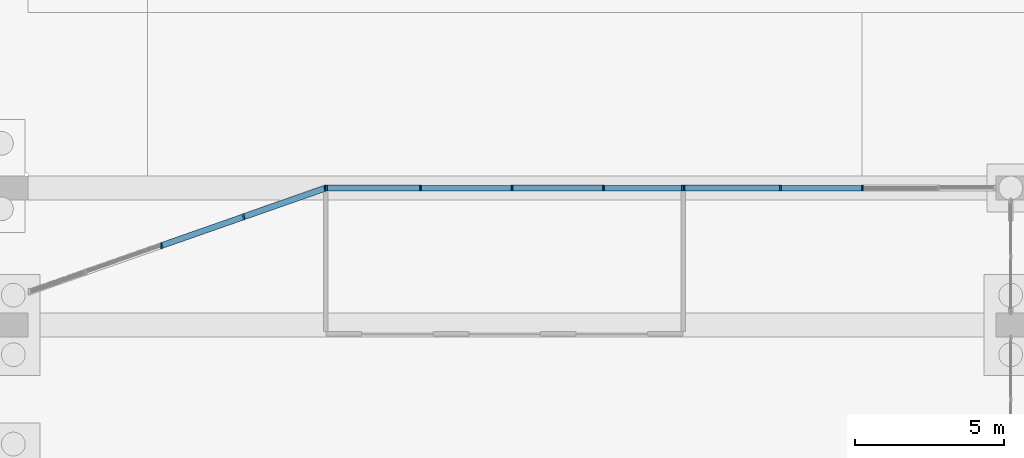
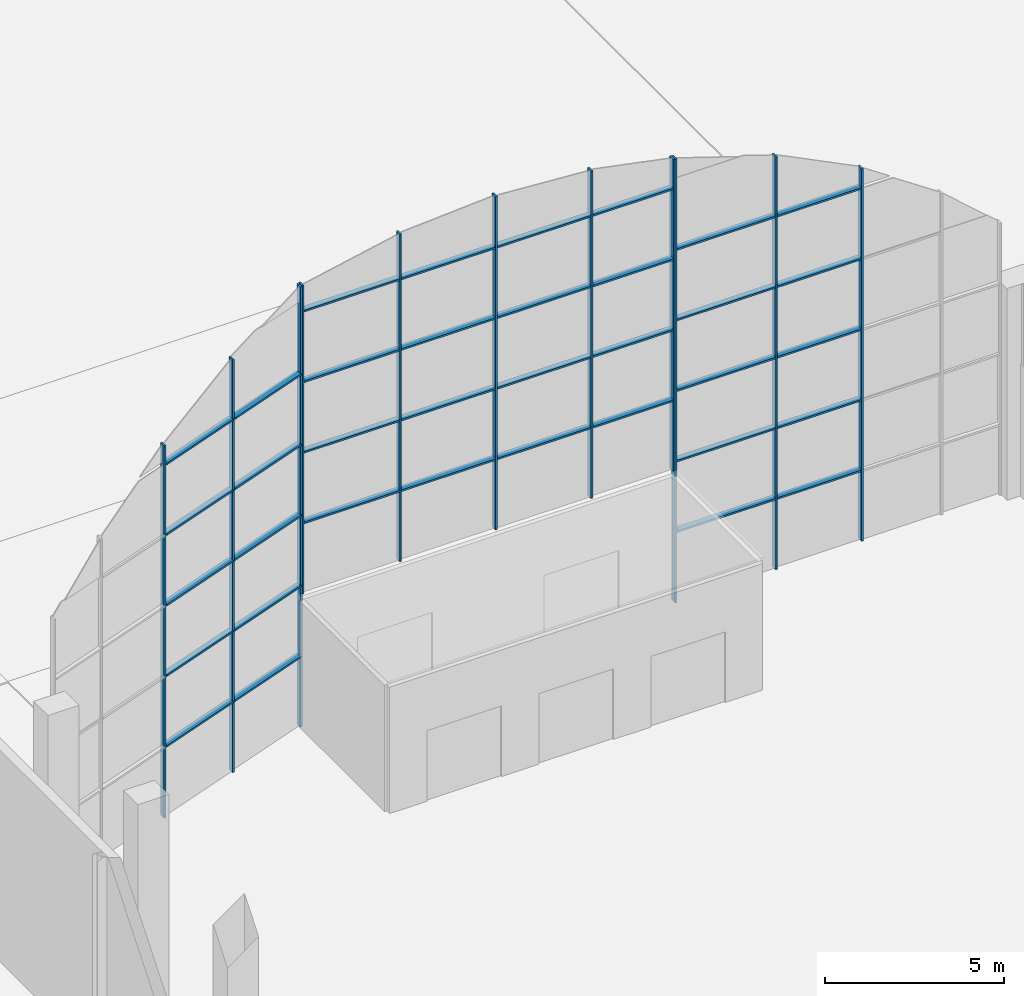
# One storey, part 134 of 239: 47 members, 3 elements without a shape of their own.
"""IFC4 building model written with IfcOpenShell, lengths in metres."""

from ifc_helpers import new_model, si_unit, direction, frame, origin, origin_2d, place, context, subcontext, project, spatial, rectangle, extrude, material, material_profile, profile_set, type_object, element, aggregate, save


model = new_model("IFC4")

# Units and contexts
model_context = context("Model", 3, precision=1e-05, world=origin(), true_north=direction((0.0, 1.0)))
body_context = subcontext(model_context, "Body", "Model", "MODEL_VIEW")
ifc_project = project(units=[si_unit("LENGTHUNIT", "METRE"), si_unit("AREAUNIT", "SQUARE_METRE"), si_unit("VOLUMEUNIT", "CUBIC_METRE"), si_unit("PLANEANGLEUNIT", "RADIAN"), si_unit("MASSUNIT", "GRAM", prefix="KILO")], contexts=[model_context])

# Site, building, storey
site_placement = place(None, origin())
site = spatial("IfcSite", under=ifc_project, at=site_placement, CompositionType="ELEMENT")
building_placement = place(site_placement, origin())
building = spatial("IfcBuilding", under=site, at=building_placement, Name="Okhra Congress Centre", CompositionType="ELEMENT")
storey_placement = place(building_placement, origin())
storey = spatial("IfcBuildingStorey", under=building, at=storey_placement, Name="L00", CompositionType="ELEMENT", Elevation=0.0)

# Curtain wall, members
ifc_material_1 = material(Name="Aluminium frame with triple glazing", Category="aluminium")
curtain_wall_type = type_object("IfcCurtainWallType", Name="Glazed gable curtain wall", PredefinedType="NOTDEFINED", material=ifc_material_1)
curtain_wall_1_placement = place(storey_placement, origin())
curtain_wall_1 = element("IfcCurtainWall", 1, at=curtain_wall_1_placement, inside=storey, type_object=curtain_wall_type, Name="North gable glazing west", PredefinedType="NOTDEFINED")
ifc_material_2 = material(Name="Aluminium alloy 6063", Category="aluminium")
ifc_material_profile_1 = material_profile(ifc_material_2, rectangle(XDim=0.06005859375, YDim=0.199951171875, at=origin_2d()), Name="AL 60x200 gable")
ifc_profile_set_1 = profile_set([ifc_material_profile_1], Name="Aluminium alloy 6063")
member_type_1 = type_object("IfcMemberType", Name="Aluminium gable mullion 60x200", PredefinedType="MULLION", material=ifc_profile_set_1)
member_1_placement = place(storey_placement, frame((160.475830078125, 213.66650390625, 0.0), z_axis=(0.0, 0.0, 1.0), x_axis=(1.0, 0.0, 0.0)))
member_1 = element("IfcMember", 2, at=member_1_placement, type_object=member_type_1, Name="North gable glazing west mullion 3", PredefinedType="MULLION", context=body_context, shape_type="SweptSolid", body=[
    extrude(rectangle(XDim=0.06005859375, YDim=0.199951171875, at=origin_2d()), origin(), (0.0, 0.0, 1.0), 12.65673828125),
])
member_2_placement = place(storey_placement, frame((163.235595703125, 214.63232421875, 0.0), z_axis=(0.0, 0.0, 1.0), x_axis=(1.0, 0.0, 0.0)))
member_2 = element("IfcMember", 3, at=member_2_placement, type_object=member_type_1, Name="North gable glazing west mullion 4", PredefinedType="MULLION", context=body_context, shape_type="SweptSolid", body=[
    extrude(rectangle(XDim=0.06005859375, YDim=0.199951171875, at=origin_2d()), origin(), (0.0, 0.0, 1.0), 14.0302734375),
])
member_3_placement = place(storey_placement, frame((165.969970703125, 215.589599609375, 0.0), z_axis=(0.0, 0.0, 1.0), x_axis=(1.0, 0.0, 0.0)))
member_3 = element("IfcMember", 4, at=member_3_placement, type_object=member_type_1, Name="North gable glazing west mullion 5", PredefinedType="MULLION", context=body_context, shape_type="SweptSolid", body=[
    extrude(rectangle(XDim=0.06005859375, YDim=0.199951171875, at=origin_2d()), origin(), (0.0, 0.0, 1.0), 14.966552734375),
])

curtain_wall_2_placement = place(storey_placement, origin())
curtain_wall_2 = element("IfcCurtainWall", 5, at=curtain_wall_2_placement, inside=storey, type_object=curtain_wall_type, Name="North gable glazing east", PredefinedType="NOTDEFINED")
member_4_placement = place(storey_placement, frame((178.030029296875, 215.60009765625, 0.0), z_axis=(0.0, 0.0, 1.0), x_axis=(1.0, 0.0, 0.0)))
member_4 = element("IfcMember", 6, at=member_4_placement, type_object=member_type_1, Name="North gable glazing east mullion 1", PredefinedType="MULLION", context=body_context, shape_type="SweptSolid", body=[
    extrude(rectangle(XDim=0.06005859375, YDim=0.199951171875, at=origin_2d()), origin(), (0.0, 0.0, 1.0), 15.092529296875),
])
member_5_placement = place(storey_placement, frame((181.264404296875, 215.60009765625, 0.0), z_axis=(0.0, 0.0, 1.0), x_axis=(1.0, 0.0, 0.0)))
member_5 = element("IfcMember", 7, at=member_5_placement, type_object=member_type_1, Name="North gable glazing east mullion 2", PredefinedType="MULLION", context=body_context, shape_type="SweptSolid", body=[
    extrude(rectangle(XDim=0.06005859375, YDim=0.199951171875, at=origin_2d()), origin(), (0.0, 0.0, 1.0), 14.0302734375),
])
member_6_placement = place(storey_placement, frame((184.024169921875, 215.60009765625, 0.0), z_axis=(0.0, 0.0, 1.0), x_axis=(1.0, 0.0, 0.0)))
member_6 = element("IfcMember", 8, at=member_6_placement, type_object=member_type_1, Name="North gable glazing east mullion 3", PredefinedType="MULLION", context=body_context, shape_type="SweptSolid", body=[
    extrude(rectangle(XDim=0.06005859375, YDim=0.199951171875, at=origin_2d()), origin(), (0.0, 0.0, 1.0), 12.65673828125),
])

curtain_wall_3_placement = place(storey_placement, origin())
curtain_wall_3 = element("IfcCurtainWall", 9, at=curtain_wall_3_placement, inside=storey, type_object=curtain_wall_type, Name="North gable glazing above the entrance", PredefinedType="NOTDEFINED")
member_7_placement = place(storey_placement, frame((166.030029296875, 215.60009765625, 4.5), z_axis=(0.0, 0.0, 1.0), x_axis=(1.0, 0.0, 0.0)))
member_7 = element("IfcMember", 10, at=member_7_placement, type_object=member_type_1, Name="North gable glazing above the entrance mullion 1", PredefinedType="MULLION", context=body_context, shape_type="SweptSolid", body=[
    extrude(rectangle(XDim=0.06005859375, YDim=0.199951171875, at=origin_2d()), origin(), (0.0, 0.0, 1.0), 10.487060546875),
])
member_8_placement = place(storey_placement, frame((169.174072265625, 215.60009765625, 4.5), z_axis=(0.0, 0.0, 1.0), x_axis=(1.0, 0.0, 0.0)))
member_8 = element("IfcMember", 11, at=member_8_placement, type_object=member_type_1, Name="North gable glazing above the entrance mullion 2", PredefinedType="MULLION", context=body_context, shape_type="SweptSolid", body=[
    extrude(rectangle(XDim=0.06005859375, YDim=0.199951171875, at=origin_2d()), origin(), (0.0, 0.0, 1.0), 11.134765625),
])
member_9_placement = place(storey_placement, frame((172.25, 215.60009765625, 4.5), z_axis=(0.0, 0.0, 1.0), x_axis=(1.0, 0.0, 0.0)))
member_9 = element("IfcMember", 12, at=member_9_placement, type_object=member_type_1, Name="North gable glazing above the entrance mullion 3", PredefinedType="MULLION", context=body_context, shape_type="SweptSolid", body=[
    extrude(rectangle(XDim=0.06005859375, YDim=0.199951171875, at=origin_2d()), origin(), (0.0, 0.0, 1.0), 11.338134765625),
])
member_10_placement = place(storey_placement, frame((175.325927734375, 215.60009765625, 4.5), z_axis=(0.0, 0.0, 1.0), x_axis=(1.0, 0.0, 0.0)))
member_10 = element("IfcMember", 13, at=member_10_placement, type_object=member_type_1, Name="North gable glazing above the entrance mullion 4", PredefinedType="MULLION", context=body_context, shape_type="SweptSolid", body=[
    extrude(rectangle(XDim=0.06005859375, YDim=0.199951171875, at=origin_2d()), origin(), (0.0, 0.0, 1.0), 11.134765625),
])
member_11_placement = place(storey_placement, frame((177.969970703125, 215.60009765625, 4.5), z_axis=(0.0, 0.0, 1.0), x_axis=(1.0, 0.0, 0.0)))
member_11 = element("IfcMember", 14, at=member_11_placement, type_object=member_type_1, Name="North gable glazing above the entrance mullion 5", PredefinedType="MULLION", context=body_context, shape_type="SweptSolid", body=[
    extrude(rectangle(XDim=0.06005859375, YDim=0.199951171875, at=origin_2d()), origin(), (0.0, 0.0, 1.0), 10.6044921875),
])

# Member
ifc_material_profile_2 = material_profile(ifc_material_2, rectangle(XDim=0.199951171875, YDim=0.06005859375, at=origin_2d()), Name="AL 200x60 gable transom")
ifc_profile_set_2 = profile_set([ifc_material_profile_2], Name="Aluminium alloy 6063")
member_type_2 = type_object("IfcMemberType", Name="Aluminium gable transom 200x60", PredefinedType="USERDEFINED", material=ifc_profile_set_2)
member_12_placement = place(storey_placement, frame((160.505859375, 213.677001953125, 2.39990234375), z_axis=(0.943866340391, 0.330327612345, 0.0), x_axis=(-0.330327612345, 0.943866340391, 0.0)))
member_12 = element("IfcMember", 15, at=member_12_placement, type_object=member_type_2, Name="North gable glazing west transom 3.1", ObjectType="TRANSOM", PredefinedType="USERDEFINED", context=body_context, shape_type="SweptSolid", body=[
    extrude(rectangle(XDim=0.199951171875, YDim=0.06005859375, at=origin_2d()), origin(), (0.0, 0.0, 1.0), 2.8603515625),
])

member_13_placement = place(storey_placement, frame((160.505859375, 213.677001953125, 4.800048828125), z_axis=(0.943866340391, 0.330327612345, 0.0), x_axis=(-0.330327612345, 0.943866340391, 0.0)))
member_13 = element("IfcMember", 16, at=member_13_placement, type_object=member_type_2, Name="North gable glazing west transom 3.2", ObjectType="TRANSOM", PredefinedType="USERDEFINED", context=body_context, shape_type="SweptSolid", body=[
    extrude(rectangle(XDim=0.199951171875, YDim=0.06005859375, at=origin_2d()), origin(), (0.0, 0.0, 1.0), 2.8603515625),
])

member_14_placement = place(storey_placement, frame((160.505859375, 213.677001953125, 7.199951171875), z_axis=(0.943866340391, 0.330327612345, 0.0), x_axis=(-0.330327612345, 0.943866340391, 0.0)))
member_14 = element("IfcMember", 17, at=member_14_placement, type_object=member_type_2, Name="North gable glazing west transom 3.3", ObjectType="TRANSOM", PredefinedType="USERDEFINED", context=body_context, shape_type="SweptSolid", body=[
    extrude(rectangle(XDim=0.199951171875, YDim=0.06005859375, at=origin_2d()), origin(), (0.0, 0.0, 1.0), 2.8603515625),
])

member_15_placement = place(storey_placement, frame((160.505859375, 213.677001953125, 9.60009765625), z_axis=(0.943866340391, 0.330327612345, 0.0), x_axis=(-0.330327612345, 0.943866340391, 0.0)))
member_15 = element("IfcMember", 18, at=member_15_placement, type_object=member_type_2, Name="North gable glazing west transom 3.4", ObjectType="TRANSOM", PredefinedType="USERDEFINED", context=body_context, shape_type="SweptSolid", body=[
    extrude(rectangle(XDim=0.199951171875, YDim=0.06005859375, at=origin_2d()), origin(), (0.0, 0.0, 1.0), 2.8603515625),
])

member_16_placement = place(storey_placement, frame((160.505859375, 213.677001953125, 12.0), z_axis=(0.943866340391, 0.330327612345, 0.0), x_axis=(-0.330327612345, 0.943866340391, 0.0)))
member_16 = element("IfcMember", 19, at=member_16_placement, type_object=member_type_2, Name="North gable glazing west transom 3.5", ObjectType="TRANSOM", PredefinedType="USERDEFINED", context=body_context, shape_type="SweptSolid", body=[
    extrude(rectangle(XDim=0.199951171875, YDim=0.06005859375, at=origin_2d()), origin(), (0.0, 0.0, 1.0), 2.8603515625),
])

member_17_placement = place(storey_placement, frame((163.265625, 214.642822265625, 2.39990234375), z_axis=(0.943828800046, 0.330434859245, 0.0), x_axis=(-0.330434859245, 0.943828800046, 0.0)))
member_17 = element("IfcMember", 20, at=member_17_placement, type_object=member_type_2, Name="North gable glazing west transom 4.1", ObjectType="TRANSOM", PredefinedType="USERDEFINED", context=body_context, shape_type="SweptSolid", body=[
    extrude(rectangle(XDim=0.199951171875, YDim=0.06005859375, at=origin_2d()), origin(), (0.0, 0.0, 1.0), 2.83349609375),
])

member_18_placement = place(storey_placement, frame((163.265625, 214.642822265625, 4.800048828125), z_axis=(0.943828800046, 0.330434859245, 0.0), x_axis=(-0.330434859245, 0.943828800046, 0.0)))
member_18 = element("IfcMember", 21, at=member_18_placement, type_object=member_type_2, Name="North gable glazing west transom 4.2", ObjectType="TRANSOM", PredefinedType="USERDEFINED", context=body_context, shape_type="SweptSolid", body=[
    extrude(rectangle(XDim=0.199951171875, YDim=0.06005859375, at=origin_2d()), origin(), (0.0, 0.0, 1.0), 2.83349609375),
])

member_19_placement = place(storey_placement, frame((163.265625, 214.642822265625, 7.199951171875), z_axis=(0.943828800046, 0.330434859245, 0.0), x_axis=(-0.330434859245, 0.943828800046, 0.0)))
member_19 = element("IfcMember", 22, at=member_19_placement, type_object=member_type_2, Name="North gable glazing west transom 4.3", ObjectType="TRANSOM", PredefinedType="USERDEFINED", context=body_context, shape_type="SweptSolid", body=[
    extrude(rectangle(XDim=0.199951171875, YDim=0.06005859375, at=origin_2d()), origin(), (0.0, 0.0, 1.0), 2.83349609375),
])

member_20_placement = place(storey_placement, frame((163.265625, 214.642822265625, 9.60009765625), z_axis=(0.943828800046, 0.330434859245, 0.0), x_axis=(-0.330434859245, 0.943828800046, 0.0)))
member_20 = element("IfcMember", 23, at=member_20_placement, type_object=member_type_2, Name="North gable glazing west transom 4.4", ObjectType="TRANSOM", PredefinedType="USERDEFINED", context=body_context, shape_type="SweptSolid", body=[
    extrude(rectangle(XDim=0.199951171875, YDim=0.06005859375, at=origin_2d()), origin(), (0.0, 0.0, 1.0), 2.83349609375),
])

member_21_placement = place(storey_placement, frame((163.265625, 214.642822265625, 12.0), z_axis=(0.943828800046, 0.330434859245, 0.0), x_axis=(-0.330434859245, 0.943828800046, 0.0)))
member_21 = element("IfcMember", 24, at=member_21_placement, type_object=member_type_2, Name="North gable glazing west transom 4.5", ObjectType="TRANSOM", PredefinedType="USERDEFINED", context=body_context, shape_type="SweptSolid", body=[
    extrude(rectangle(XDim=0.199951171875, YDim=0.06005859375, at=origin_2d()), origin(), (0.0, 0.0, 1.0), 2.83349609375),
])

aggregate(curtain_wall_1, [member_1, member_2, member_3, member_12, member_13, member_14, member_15, member_16, member_17, member_18, member_19, member_20, member_21])

member_22_placement = place(storey_placement, frame((178.06005859375, 215.60009765625, 2.39990234375), z_axis=(1.0, 0.0, 0.0), x_axis=(0.0, 1.0, 0.0)))
member_22 = element("IfcMember", 25, at=member_22_placement, type_object=member_type_2, Name="North gable glazing east transom 1.1", ObjectType="TRANSOM", PredefinedType="USERDEFINED", context=body_context, shape_type="SweptSolid", body=[
    extrude(rectangle(XDim=0.199951171875, YDim=0.06005859375, at=origin_2d()), origin(), (0.0, 0.0, 1.0), 3.17431640625),
])

member_23_placement = place(storey_placement, frame((178.06005859375, 215.60009765625, 4.800048828125), z_axis=(1.0, 0.0, 0.0), x_axis=(0.0, 1.0, 0.0)))
member_23 = element("IfcMember", 26, at=member_23_placement, type_object=member_type_2, Name="North gable glazing east transom 1.2", ObjectType="TRANSOM", PredefinedType="USERDEFINED", context=body_context, shape_type="SweptSolid", body=[
    extrude(rectangle(XDim=0.199951171875, YDim=0.06005859375, at=origin_2d()), origin(), (0.0, 0.0, 1.0), 3.17431640625),
])

member_24_placement = place(storey_placement, frame((178.06005859375, 215.60009765625, 7.199951171875), z_axis=(1.0, 0.0, 0.0), x_axis=(0.0, 1.0, 0.0)))
member_24 = element("IfcMember", 27, at=member_24_placement, type_object=member_type_2, Name="North gable glazing east transom 1.3", ObjectType="TRANSOM", PredefinedType="USERDEFINED", context=body_context, shape_type="SweptSolid", body=[
    extrude(rectangle(XDim=0.199951171875, YDim=0.06005859375, at=origin_2d()), origin(), (0.0, 0.0, 1.0), 3.17431640625),
])

member_25_placement = place(storey_placement, frame((178.06005859375, 215.60009765625, 9.60009765625), z_axis=(1.0, 0.0, 0.0), x_axis=(0.0, 1.0, 0.0)))
member_25 = element("IfcMember", 28, at=member_25_placement, type_object=member_type_2, Name="North gable glazing east transom 1.4", ObjectType="TRANSOM", PredefinedType="USERDEFINED", context=body_context, shape_type="SweptSolid", body=[
    extrude(rectangle(XDim=0.199951171875, YDim=0.06005859375, at=origin_2d()), origin(), (0.0, 0.0, 1.0), 3.17431640625),
])

member_26_placement = place(storey_placement, frame((178.06005859375, 215.60009765625, 12.0), z_axis=(1.0, 0.0, 0.0), x_axis=(0.0, 1.0, 0.0)))
member_26 = element("IfcMember", 29, at=member_26_placement, type_object=member_type_2, Name="North gable glazing east transom 1.5", ObjectType="TRANSOM", PredefinedType="USERDEFINED", context=body_context, shape_type="SweptSolid", body=[
    extrude(rectangle(XDim=0.199951171875, YDim=0.06005859375, at=origin_2d()), origin(), (0.0, 0.0, 1.0), 3.17431640625),
])

member_27_placement = place(storey_placement, frame((181.29443359375, 215.60009765625, 2.39990234375), z_axis=(1.0, 0.0, 0.0), x_axis=(0.0, 1.0, 0.0)))
member_27 = element("IfcMember", 30, at=member_27_placement, type_object=member_type_2, Name="North gable glazing east transom 2.1", ObjectType="TRANSOM", PredefinedType="USERDEFINED", context=body_context, shape_type="SweptSolid", body=[
    extrude(rectangle(XDim=0.199951171875, YDim=0.06005859375, at=origin_2d()), origin(), (0.0, 0.0, 1.0), 2.69970703125),
])

member_28_placement = place(storey_placement, frame((181.29443359375, 215.60009765625, 4.800048828125), z_axis=(1.0, 0.0, 0.0), x_axis=(0.0, 1.0, 0.0)))
member_28 = element("IfcMember", 31, at=member_28_placement, type_object=member_type_2, Name="North gable glazing east transom 2.2", ObjectType="TRANSOM", PredefinedType="USERDEFINED", context=body_context, shape_type="SweptSolid", body=[
    extrude(rectangle(XDim=0.199951171875, YDim=0.06005859375, at=origin_2d()), origin(), (0.0, 0.0, 1.0), 2.69970703125),
])

member_29_placement = place(storey_placement, frame((181.29443359375, 215.60009765625, 7.199951171875), z_axis=(1.0, 0.0, 0.0), x_axis=(0.0, 1.0, 0.0)))
member_29 = element("IfcMember", 32, at=member_29_placement, type_object=member_type_2, Name="North gable glazing east transom 2.3", ObjectType="TRANSOM", PredefinedType="USERDEFINED", context=body_context, shape_type="SweptSolid", body=[
    extrude(rectangle(XDim=0.199951171875, YDim=0.06005859375, at=origin_2d()), origin(), (0.0, 0.0, 1.0), 2.69970703125),
])

member_30_placement = place(storey_placement, frame((181.29443359375, 215.60009765625, 9.60009765625), z_axis=(1.0, 0.0, 0.0), x_axis=(0.0, 1.0, 0.0)))
member_30 = element("IfcMember", 33, at=member_30_placement, type_object=member_type_2, Name="North gable glazing east transom 2.4", ObjectType="TRANSOM", PredefinedType="USERDEFINED", context=body_context, shape_type="SweptSolid", body=[
    extrude(rectangle(XDim=0.199951171875, YDim=0.06005859375, at=origin_2d()), origin(), (0.0, 0.0, 1.0), 2.69970703125),
])

member_31_placement = place(storey_placement, frame((181.29443359375, 215.60009765625, 12.0), z_axis=(1.0, 0.0, 0.0), x_axis=(0.0, 1.0, 0.0)))
member_31 = element("IfcMember", 34, at=member_31_placement, type_object=member_type_2, Name="North gable glazing east transom 2.5", ObjectType="TRANSOM", PredefinedType="USERDEFINED", context=body_context, shape_type="SweptSolid", body=[
    extrude(rectangle(XDim=0.199951171875, YDim=0.06005859375, at=origin_2d()), origin(), (0.0, 0.0, 1.0), 2.69970703125),
])

aggregate(curtain_wall_2, [member_4, member_5, member_6, member_22, member_23, member_24, member_25, member_26, member_27, member_28, member_29, member_30, member_31])

member_32_placement = place(storey_placement, frame((166.06005859375, 215.60009765625, 6.89990234375), z_axis=(1.0, 0.0, 0.0), x_axis=(0.0, 1.0, 0.0)))
member_32 = element("IfcMember", 35, at=member_32_placement, type_object=member_type_2, Name="North gable glazing above the entrance transom 1.1", ObjectType="TRANSOM", PredefinedType="USERDEFINED", context=body_context, shape_type="SweptSolid", body=[
    extrude(rectangle(XDim=0.199951171875, YDim=0.06005859375, at=origin_2d()), origin(), (0.0, 0.0, 1.0), 3.084228515625),
])

member_33_placement = place(storey_placement, frame((166.06005859375, 215.60009765625, 9.300048828125), z_axis=(1.0, 0.0, 0.0), x_axis=(0.0, 1.0, 0.0)))
member_33 = element("IfcMember", 36, at=member_33_placement, type_object=member_type_2, Name="North gable glazing above the entrance transom 1.2", ObjectType="TRANSOM", PredefinedType="USERDEFINED", context=body_context, shape_type="SweptSolid", body=[
    extrude(rectangle(XDim=0.199951171875, YDim=0.06005859375, at=origin_2d()), origin(), (0.0, 0.0, 1.0), 3.084228515625),
])

member_34_placement = place(storey_placement, frame((166.06005859375, 215.60009765625, 11.699951171875), z_axis=(1.0, 0.0, 0.0), x_axis=(0.0, 1.0, 0.0)))
member_34 = element("IfcMember", 37, at=member_34_placement, type_object=member_type_2, Name="North gable glazing above the entrance transom 1.3", ObjectType="TRANSOM", PredefinedType="USERDEFINED", context=body_context, shape_type="SweptSolid", body=[
    extrude(rectangle(XDim=0.199951171875, YDim=0.06005859375, at=origin_2d()), origin(), (0.0, 0.0, 1.0), 3.084228515625),
])

member_35_placement = place(storey_placement, frame((166.06005859375, 215.60009765625, 14.10009765625), z_axis=(1.0, 0.0, 0.0), x_axis=(0.0, 1.0, 0.0)))
member_35 = element("IfcMember", 38, at=member_35_placement, type_object=member_type_2, Name="North gable glazing above the entrance transom 1.4", ObjectType="TRANSOM", PredefinedType="USERDEFINED", context=body_context, shape_type="SweptSolid", body=[
    extrude(rectangle(XDim=0.199951171875, YDim=0.06005859375, at=origin_2d()), origin(), (0.0, 0.0, 1.0), 3.084228515625),
])

member_36_placement = place(storey_placement, frame((169.2041015625, 215.60009765625, 6.89990234375), z_axis=(1.0, 0.0, 0.0), x_axis=(0.0, 1.0, 0.0)))
member_36 = element("IfcMember", 39, at=member_36_placement, type_object=member_type_2, Name="North gable glazing above the entrance transom 2.1", ObjectType="TRANSOM", PredefinedType="USERDEFINED", context=body_context, shape_type="SweptSolid", body=[
    extrude(rectangle(XDim=0.199951171875, YDim=0.06005859375, at=origin_2d()), origin(), (0.0, 0.0, 1.0), 3.015869140625),
])

member_37_placement = place(storey_placement, frame((169.2041015625, 215.60009765625, 9.300048828125), z_axis=(1.0, 0.0, 0.0), x_axis=(0.0, 1.0, 0.0)))
member_37 = element("IfcMember", 40, at=member_37_placement, type_object=member_type_2, Name="North gable glazing above the entrance transom 2.2", ObjectType="TRANSOM", PredefinedType="USERDEFINED", context=body_context, shape_type="SweptSolid", body=[
    extrude(rectangle(XDim=0.199951171875, YDim=0.06005859375, at=origin_2d()), origin(), (0.0, 0.0, 1.0), 3.015869140625),
])

member_38_placement = place(storey_placement, frame((169.2041015625, 215.60009765625, 11.699951171875), z_axis=(1.0, 0.0, 0.0), x_axis=(0.0, 1.0, 0.0)))
member_38 = element("IfcMember", 41, at=member_38_placement, type_object=member_type_2, Name="North gable glazing above the entrance transom 2.3", ObjectType="TRANSOM", PredefinedType="USERDEFINED", context=body_context, shape_type="SweptSolid", body=[
    extrude(rectangle(XDim=0.199951171875, YDim=0.06005859375, at=origin_2d()), origin(), (0.0, 0.0, 1.0), 3.015869140625),
])

member_39_placement = place(storey_placement, frame((169.2041015625, 215.60009765625, 14.10009765625), z_axis=(1.0, 0.0, 0.0), x_axis=(0.0, 1.0, 0.0)))
member_39 = element("IfcMember", 42, at=member_39_placement, type_object=member_type_2, Name="North gable glazing above the entrance transom 2.4", ObjectType="TRANSOM", PredefinedType="USERDEFINED", context=body_context, shape_type="SweptSolid", body=[
    extrude(rectangle(XDim=0.199951171875, YDim=0.06005859375, at=origin_2d()), origin(), (0.0, 0.0, 1.0), 3.015869140625),
])

member_40_placement = place(storey_placement, frame((172.280029296875, 215.60009765625, 6.89990234375), z_axis=(1.0, 0.0, 0.0), x_axis=(0.0, 1.0, 0.0)))
member_40 = element("IfcMember", 43, at=member_40_placement, type_object=member_type_2, Name="North gable glazing above the entrance transom 3.1", ObjectType="TRANSOM", PredefinedType="USERDEFINED", context=body_context, shape_type="SweptSolid", body=[
    extrude(rectangle(XDim=0.199951171875, YDim=0.06005859375, at=origin_2d()), origin(), (0.0, 0.0, 1.0), 3.015869140625),
])

member_41_placement = place(storey_placement, frame((172.280029296875, 215.60009765625, 9.300048828125), z_axis=(1.0, 0.0, 0.0), x_axis=(0.0, 1.0, 0.0)))
member_41 = element("IfcMember", 44, at=member_41_placement, type_object=member_type_2, Name="North gable glazing above the entrance transom 3.2", ObjectType="TRANSOM", PredefinedType="USERDEFINED", context=body_context, shape_type="SweptSolid", body=[
    extrude(rectangle(XDim=0.199951171875, YDim=0.06005859375, at=origin_2d()), origin(), (0.0, 0.0, 1.0), 3.015869140625),
])

member_42_placement = place(storey_placement, frame((172.280029296875, 215.60009765625, 11.699951171875), z_axis=(1.0, 0.0, 0.0), x_axis=(0.0, 1.0, 0.0)))
member_42 = element("IfcMember", 45, at=member_42_placement, type_object=member_type_2, Name="North gable glazing above the entrance transom 3.3", ObjectType="TRANSOM", PredefinedType="USERDEFINED", context=body_context, shape_type="SweptSolid", body=[
    extrude(rectangle(XDim=0.199951171875, YDim=0.06005859375, at=origin_2d()), origin(), (0.0, 0.0, 1.0), 3.015869140625),
])

member_43_placement = place(storey_placement, frame((172.280029296875, 215.60009765625, 14.10009765625), z_axis=(1.0, 0.0, 0.0), x_axis=(0.0, 1.0, 0.0)))
member_43 = element("IfcMember", 46, at=member_43_placement, type_object=member_type_2, Name="North gable glazing above the entrance transom 3.4", ObjectType="TRANSOM", PredefinedType="USERDEFINED", context=body_context, shape_type="SweptSolid", body=[
    extrude(rectangle(XDim=0.199951171875, YDim=0.06005859375, at=origin_2d()), origin(), (0.0, 0.0, 1.0), 3.015869140625),
])

member_44_placement = place(storey_placement, frame((175.355712890625, 215.60009765625, 6.89990234375), z_axis=(1.0, 0.0, 0.0), x_axis=(0.0, 1.0, 0.0)))
member_44 = element("IfcMember", 47, at=member_44_placement, type_object=member_type_2, Name="North gable glazing above the entrance transom 4.1", ObjectType="TRANSOM", PredefinedType="USERDEFINED", context=body_context, shape_type="SweptSolid", body=[
    extrude(rectangle(XDim=0.199951171875, YDim=0.06005859375, at=origin_2d()), origin(), (0.0, 0.0, 1.0), 2.584228515625),
])

member_45_placement = place(storey_placement, frame((175.355712890625, 215.60009765625, 9.300048828125), z_axis=(1.0, 0.0, 0.0), x_axis=(0.0, 1.0, 0.0)))
member_45 = element("IfcMember", 48, at=member_45_placement, type_object=member_type_2, Name="North gable glazing above the entrance transom 4.2", ObjectType="TRANSOM", PredefinedType="USERDEFINED", context=body_context, shape_type="SweptSolid", body=[
    extrude(rectangle(XDim=0.199951171875, YDim=0.06005859375, at=origin_2d()), origin(), (0.0, 0.0, 1.0), 2.584228515625),
])

member_46_placement = place(storey_placement, frame((175.355712890625, 215.60009765625, 11.699951171875), z_axis=(1.0, 0.0, 0.0), x_axis=(0.0, 1.0, 0.0)))
member_46 = element("IfcMember", 49, at=member_46_placement, type_object=member_type_2, Name="North gable glazing above the entrance transom 4.3", ObjectType="TRANSOM", PredefinedType="USERDEFINED", context=body_context, shape_type="SweptSolid", body=[
    extrude(rectangle(XDim=0.199951171875, YDim=0.06005859375, at=origin_2d()), origin(), (0.0, 0.0, 1.0), 2.584228515625),
])

member_47_placement = place(storey_placement, frame((175.355712890625, 215.60009765625, 14.10009765625), z_axis=(1.0, 0.0, 0.0), x_axis=(0.0, 1.0, 0.0)))
member_47 = element("IfcMember", 50, at=member_47_placement, type_object=member_type_2, Name="North gable glazing above the entrance transom 4.4", ObjectType="TRANSOM", PredefinedType="USERDEFINED", context=body_context, shape_type="SweptSolid", body=[
    extrude(rectangle(XDim=0.199951171875, YDim=0.06005859375, at=origin_2d()), origin(), (0.0, 0.0, 1.0), 2.584228515625),
])

aggregate(curtain_wall_3, [member_7, member_8, member_9, member_10, member_11, member_32, member_33, member_34, member_35, member_36, member_37, member_38, member_39, member_40, member_41, member_42, member_43, member_44, member_45, member_46, member_47])

save(model, "model.ifc")
